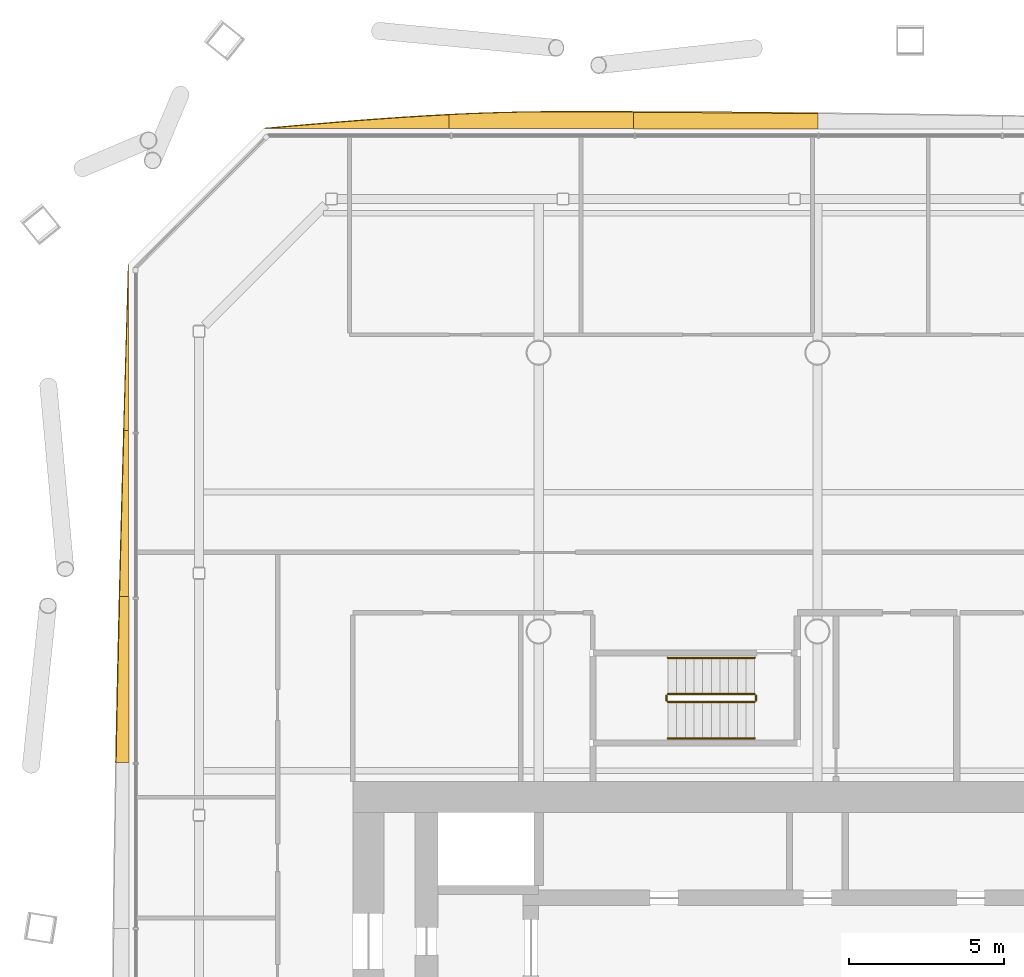
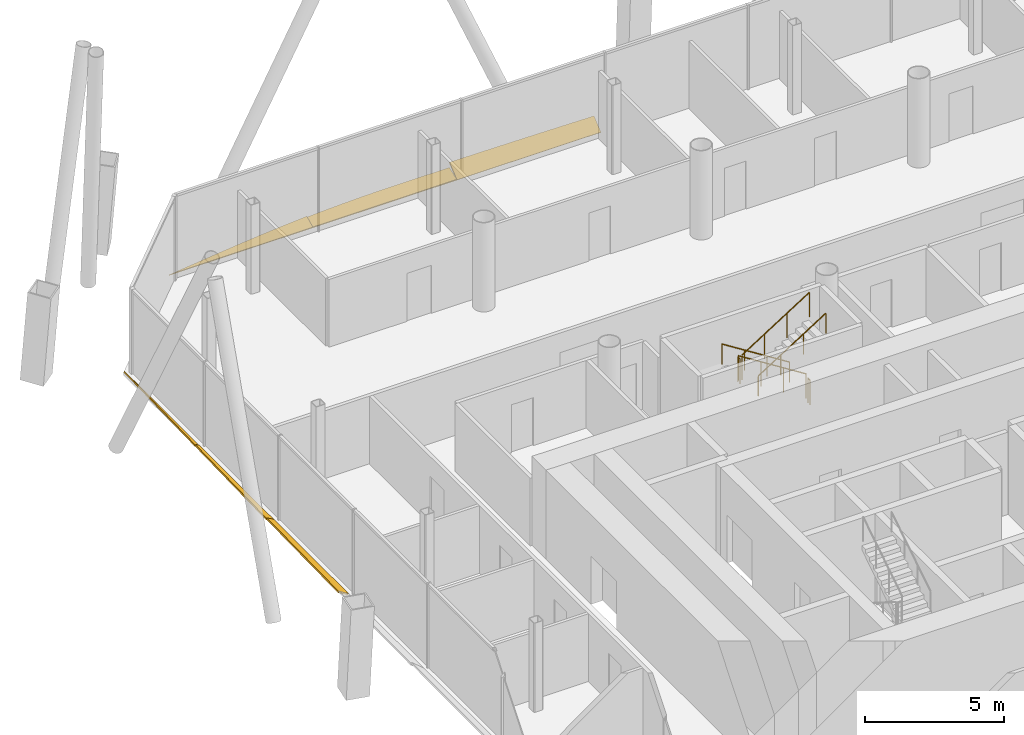
# One storey, part 21 of 22: 6 railings, 6 shading devices.
"""IFC4 building model written with IfcOpenShell, lengths in metres."""

from ifc_helpers import new_model, si_unit, direction, frame, origin, origin_2d, place, context, subcontext, project, spatial, polyline, circle, outline, extrude, material, layer, layer_set, type_object, element, save


model = new_model("IFC4")

# Units and contexts
model_context = context("Model", 3, precision=1e-05, world=origin(), true_north=direction((0.0, 1.0)))
body_context = subcontext(model_context, "Body", "Model", "MODEL_VIEW")
ifc_project = project(units=[si_unit("LENGTHUNIT", "METRE"), si_unit("AREAUNIT", "SQUARE_METRE"), si_unit("VOLUMEUNIT", "CUBIC_METRE"), si_unit("PLANEANGLEUNIT", "RADIAN"), si_unit("MASSUNIT", "GRAM", prefix="KILO")], contexts=[model_context])

# Site, building, storey
site_placement = place(None, origin())
site = spatial("IfcSite", under=ifc_project, at=site_placement, CompositionType="ELEMENT")
building_placement = place(site_placement, origin())
building = spatial("IfcBuilding", under=site, at=building_placement, Name="Tskaro Facet Tower", CompositionType="ELEMENT")
storey_placement = place(building_placement, frame((0.0, 0.0, 73.800048828125)))
storey = spatial("IfcBuildingStorey", under=building, at=storey_placement, Name="L17", CompositionType="ELEMENT", Elevation=73.800048828125)

# Shading devices
ifc_material_1 = material(Name="Bronze anodised aluminium 6063-T6", Category="aluminium")
ifc_layer = layer(ifc_material_1, 0.06005859375, Name="Bronze anodised aluminium 6063-T6")
ifc_layer_set = layer_set([ifc_layer], Name="Bronze anodised aluminium 6063-T6")
shading_device_type = type_object("IfcShadingDeviceType", Name="Bronze sun blade (FN1)", PredefinedType="USERDEFINED", material=ifc_layer_set)
shading_device_1_placement = place(storey_placement, frame((0.021728515625, 25.222412109375, 0.0458984375), z_axis=(5.521386e-06, -0.642802375307, 0.76603205303), x_axis=(-0.999999999985, -3.54916e-06, 4.229558e-06)))
element("IfcShadingDevice", 1, at=shading_device_1_placement, inside=storey, type_object=shading_device_type, Name="Fin blade north 5", ObjectType="FIN", PredefinedType="USERDEFINED", context=body_context, shape_type="SweptSolid", body=[
    extrude(outline(polyline([(0.0, 0.0), (5.956542968659206, 2.522694073133596e-21), (5.9565429686007, -0.6992366936844309), (5.211914061733528, -0.695954090679483), (4.467529296892115, -0.691609541150414), (3.722900390060872, -0.6864201500119617), (2.978271484630392, -0.6801688123493884), (2.2336425788676855, -0.6732295672510933), (1.4892578123651428, -0.6654454805434149), (0.7446289066383659, -0.6565994473116156), (-4.5324369497416715e-10, -0.646908572470433), (0.0, 0.0)])), origin(), (0.0, 0.0, -1.0), 0.06005859375),
])
shading_device_2_placement = place(storey_placement, frame((-5.934814453125, 25.240478515625, 0.056396484375), z_axis=(-4.364958e-06, -0.341846221686, 0.93975590485), x_axis=(-0.99999999999, 1.492145e-06, -4.101995e-06)))
element("IfcShadingDevice", 2, at=shading_device_2_placement, inside=storey, type_object=shading_device_type, Name="Fin blade north 6", ObjectType="FIN", PredefinedType="USERDEFINED", context=body_context, shape_type="SweptSolid", body=[
    extrude(outline(polyline([(0.0, 0.0), (5.956542968693256, -1.261347036566798e-21), (5.956542969011957, -0.4751321502465586), (5.212158203229016, -0.5107373431298846), (4.467529296908386, -0.5385415141420333), (3.7229003906750635, -0.5585446632830047), (2.978271484164756, -0.570517357958839), (2.322998047036661, -0.5736043832872231), (2.2336425782875122, -0.5736043832872231), (1.4892578119410171, -0.5731455180993038), (0.7446289062438659, -0.572060870623031), (9.100587393290269e-11, -0.5699750342207026), (0.0, 0.0)])), origin(), (0.0, 0.0, -1.0), 0.06005859375),
])
shading_device_3_placement = place(storey_placement, frame((-11.891357421875, 25.235595703125, 0.054443359375), z_axis=(-3.440642e-06, -0.422245350746, 0.906481584899), x_axis=(-0.999999999994, 1.452795e-06, -3.118878e-06)))
element("IfcShadingDevice", 3, at=shading_device_3_placement, inside=storey, type_object=shading_device_type, Name="Fin blade north 7", ObjectType="FIN", PredefinedType="USERDEFINED", context=body_context, shape_type="SweptSolid", body=[
    extrude(outline(polyline([(0.0, 0.0), (5.956542968714743, 0.0), (5.212158203324142, -0.07241802128489203), (4.467529297058, -0.1435233231786658), (3.722900390593391, -0.21277020047610706), (2.9782714844412155, -0.2787428465422624), (2.2338867189238587, -0.3406742471912279), (1.489257812134023, -0.39757607925641014), (0.7446289059169836, -0.44847515406423477), (-2.9873623098555727e-11, -0.4926044574287981), (0.0, 0.0)])), origin(), (0.0, 0.0, -1.0), 0.06005859375),
])
shading_device_4_placement = place(storey_placement, frame((-22.240478515625, 20.847900390625, 0.056396484375), z_axis=(0.341489861482, 1.9799275e-05, 0.939885457975), x_axis=(6.761252e-06, -0.999999999804, 1.8609051e-05)))
element("IfcShadingDevice", 4, at=shading_device_4_placement, inside=storey, type_object=shading_device_type, Name="Fin blade west 1", ObjectType="FIN", PredefinedType="USERDEFINED", context=body_context, shape_type="SweptSolid", body=[
    extrude(outline(polyline([(0.0, 0.0), (5.361328123949149, 0.0), (5.361328126059816, -0.16342508092697672), (4.691162110459474, -0.14342193239142126), (4.020996090315906, -0.12333541230763596), (3.3508300780169558, -0.10287333532571376), (2.680664059524084, -0.0825573510187451), (2.010498047225134, -0.062095274036822884), (1.3403320320336547, -0.04132036128348747), (0.6701660151914792, -0.02077491275333542), (0.0, 0.0)])), origin(), (0.0, 0.0, -1.0), 0.06005859375),
])
shading_device_5_placement = place(storey_placement, frame((-22.235595703125, 15.486572265625, 0.054443359375), z_axis=(0.422186896639, 8.223041e-06, 0.9065088109), x_axis=(3.47166e-06, -0.999999999966, 7.454259e-06)))
element("IfcShadingDevice", 5, at=shading_device_5_placement, inside=storey, type_object=shading_device_type, Name="Fin blade west 2", ObjectType="FIN", PredefinedType="USERDEFINED", context=body_context, shape_type="SweptSolid", body=[
    extrude(outline(polyline([(0.0, 0.0), (5.361328124818738, 0.0), (5.361328125422125, -0.3248336576906956), (4.691162109218365, -0.30648585987913174), (4.020996093862181, -0.28791674643989934), (3.350830077533681, -0.2690232444001827), (2.680664062900328, -0.24968711110512895), (2.0104980472946616, -0.23002658920959093), (1.3403320307166804, -0.21004167871356869), (0.6701660149862724, -0.18983545258987788), (1.0343767946609484e-10, -0.1694079108385185), (0.0, 0.0)])), origin(), (0.0, 0.0, -1.0), 0.06005859375),
])
shading_device_6_placement = place(storey_placement, frame((-22.23095703125, 10.125244140625, 0.052001953125), z_axis=(0.499826648183, -5.831315e-06, 0.866125465352), x_axis=(-2.914647e-06, -0.999999999983, -5.050651e-06)))
element("IfcShadingDevice", 6, at=shading_device_6_placement, inside=storey, type_object=shading_device_type, Name="Fin blade west 3", ObjectType="FIN", PredefinedType="USERDEFINED", context=body_context, shape_type="SweptSolid", body=[
    extrude(outline(polyline([(0.0, 0.0), (5.361328124908846, 2.270610781458061e-21), (5.36132812519418, -0.47437032070484453), (4.691162108858708, -0.4595022911369223), (4.020996093566208, -0.4439672927635513), (3.35083007808361, -0.42788735357501295), (2.6806640624109126, -0.4112624735713071), (2.010498047259702, -0.39430410916487685), (1.340332031206808, -0.376589347530836), (0.6701660156753996, -0.35854110149407087), (-4.610693436962763e-11, -0.33994791464213825), (0.0, 0.0)])), origin(), (0.0, 0.0, -1.0), 0.06005859375),
])

# Railings
ifc_material_2 = material(Name="Stainless steel", Category="steel")
railing_type_1 = type_object("IfcRailingType", Name="RL-GUARD-1100", PredefinedType="GUARDRAIL", material=ifc_material_2)
railing_1_placement = place(storey_placement, frame((-2.02490234375, 6.97509765625, 0.17724609375)))
element("IfcRailing", 7, at=railing_1_placement, inside=storey, type_object=railing_type_1, Name="L17 ST-3 stair guard 1", PredefinedType="GUARDRAIL", context=body_context, shape_type="SweptSolid", body=[
    extrude(circle(Radius=0.02392578125, at=origin_2d()), frame((0.0, 0.0, 1.076171875), z_axis=(-0.844908973607, 0.0, 0.534910110503), x_axis=(0.0, -1.0, 0.0)), (0.0, 0.0, 1.0), 3.31396484375),
    extrude(circle(Radius=0.02099609375, at=origin_2d()), origin(), (0.0, 0.0, 1.0), 1.052001953125),
    extrude(circle(Radius=0.02099609375, at=origin_2d()), frame((-0.933349609375, 0.0, 0.5908203125)), (0.0, 0.0, 1.0), 1.052001953125),
    extrude(circle(Radius=0.02099609375, at=origin_2d()), frame((-1.86669921875, 0.0, 1.181884765625)), (0.0, 0.0, 1.0), 1.052001953125),
    extrude(circle(Radius=0.02099609375, at=origin_2d()), frame((-2.800048828125, 0.0, 1.772705078125)), (0.0, 0.0, 1.0), 1.052001953125),
])
railing_2_placement = place(storey_placement, frame((-4.875, 6.925048828125, 1.949951171875)))
element("IfcRailing", 8, at=railing_2_placement, inside=storey, type_object=railing_type_1, Name="L17 ST-3 stair guard 2", PredefinedType="GUARDRAIL", context=body_context, shape_type="SweptSolid", body=[
    extrude(circle(Radius=0.02392578125, at=origin_2d()), frame((0.0, 0.0, 1.076171875), z_axis=(0.0, -1.0, 0.0), x_axis=(1.0, 0.0, 0.0)), (0.0, 0.0, 1.0), 0.150146484375),
    extrude(circle(Radius=0.02099609375, at=origin_2d()), origin(), (0.0, 0.0, 1.0), 1.052001953125),
    extrude(circle(Radius=0.02099609375, at=origin_2d()), frame((0.0, -0.150146484375, 0.0)), (0.0, 0.0, 1.0), 1.052001953125),
])
railing_3_placement = place(storey_placement, frame((-4.824951171875, 6.72509765625, 2.127197265625)))
element("IfcRailing", 9, at=railing_3_placement, inside=storey, type_object=railing_type_1, Name="L17 ST-3 stair guard 3", PredefinedType="GUARDRAIL", context=body_context, shape_type="SweptSolid", body=[
    extrude(circle(Radius=0.02392578125, at=origin_2d()), frame((0.0, 0.0, 1.076171875), z_axis=(0.844908973607, 0.0, 0.534910110503), x_axis=(0.0, 1.0, 0.0)), (0.0, 0.0, 1.0), 3.31396484375),
    extrude(circle(Radius=0.02099609375, at=origin_2d()), origin(), (0.0, 0.0, 1.0), 1.052001953125),
    extrude(circle(Radius=0.02099609375, at=origin_2d()), frame((0.933349609375, 0.0, 0.5908203125)), (0.0, 0.0, 1.0), 1.052001953125),
    extrude(circle(Radius=0.02099609375, at=origin_2d()), frame((1.86669921875, 0.0, 1.181884765625)), (0.0, 0.0, 1.0), 1.052001953125),
    extrude(circle(Radius=0.02099609375, at=origin_2d()), frame((2.800048828125, 0.0, 1.772705078125)), (0.0, 0.0, 1.0), 1.052001953125),
])
railing_4_placement = place(storey_placement, frame((-1.97509765625, 6.925048828125, 0.0)))
element("IfcRailing", 10, at=railing_4_placement, inside=storey, type_object=railing_type_1, Name="L17 ST-3 stair guard 4", PredefinedType="GUARDRAIL", context=body_context, shape_type="SweptSolid", body=[
    extrude(circle(Radius=0.02392578125, at=origin_2d()), frame((0.0, 0.0, 1.076171875), z_axis=(0.0, -1.0, 0.0), x_axis=(1.0, 0.0, 0.0)), (0.0, 0.0, 1.0), 0.150146484375),
    extrude(circle(Radius=0.02099609375, at=origin_2d()), origin(), (0.0, 0.0, 1.0), 1.052001953125),
    extrude(circle(Radius=0.02099609375, at=origin_2d()), frame((0.0, -0.150146484375, 0.0)), (0.0, 0.0, 1.0), 1.052001953125),
])
railing_type_2 = type_object("IfcRailingType", Name="RL-HANDRAIL-900", PredefinedType="HANDRAIL", material=ifc_material_2)
railing_5_placement = place(storey_placement, frame((-2.02490234375, 8.14990234375, 0.17724609375)))
element("IfcRailing", 11, at=railing_5_placement, inside=storey, type_object=railing_type_2, Name="L17 ST-3 stair handrail 1", PredefinedType="HANDRAIL", context=body_context, shape_type="SweptSolid", body=[
    extrude(circle(Radius=0.02392578125, at=origin_2d()), frame((0.0, 0.0, 0.8759765625), z_axis=(-0.844908973607, 0.0, 0.534910110503), x_axis=(0.0, -1.0, 0.0)), (0.0, 0.0, 1.0), 3.31396484375),
    extrude(circle(Radius=0.02099609375, at=origin_2d()), origin(), (0.0, 0.0, 1.0), 0.851806640625),
    extrude(circle(Radius=0.02099609375, at=origin_2d()), frame((-0.933349609375, 0.0, 0.5908203125)), (0.0, 0.0, 1.0), 0.851806640625),
    extrude(circle(Radius=0.02099609375, at=origin_2d()), frame((-1.86669921875, 0.0, 1.181884765625)), (0.0, 0.0, 1.0), 0.851806640625),
    extrude(circle(Radius=0.02099609375, at=origin_2d()), frame((-2.800048828125, 0.0, 1.772705078125)), (0.0, 0.0, 1.0), 0.851806640625),
])
railing_6_placement = place(storey_placement, frame((-4.824951171875, 5.550048828125, 2.127197265625)))
element("IfcRailing", 12, at=railing_6_placement, inside=storey, type_object=railing_type_2, Name="L17 ST-3 stair handrail 2", PredefinedType="HANDRAIL", context=body_context, shape_type="SweptSolid", body=[
    extrude(circle(Radius=0.02392578125, at=origin_2d()), frame((0.0, 0.0, 0.8759765625), z_axis=(0.844908973607, 0.0, 0.534910110503), x_axis=(0.0, 1.0, 0.0)), (0.0, 0.0, 1.0), 3.31396484375),
    extrude(circle(Radius=0.02099609375, at=origin_2d()), origin(), (0.0, 0.0, 1.0), 0.851806640625),
    extrude(circle(Radius=0.02099609375, at=origin_2d()), frame((0.933349609375, 0.0, 0.5908203125)), (0.0, 0.0, 1.0), 0.851806640625),
    extrude(circle(Radius=0.02099609375, at=origin_2d()), frame((1.86669921875, 0.0, 1.181884765625)), (0.0, 0.0, 1.0), 0.851806640625),
    extrude(circle(Radius=0.02099609375, at=origin_2d()), frame((2.800048828125, 0.0, 1.772705078125)), (0.0, 0.0, 1.0), 0.851806640625),
])

save(model, "model.ifc")
